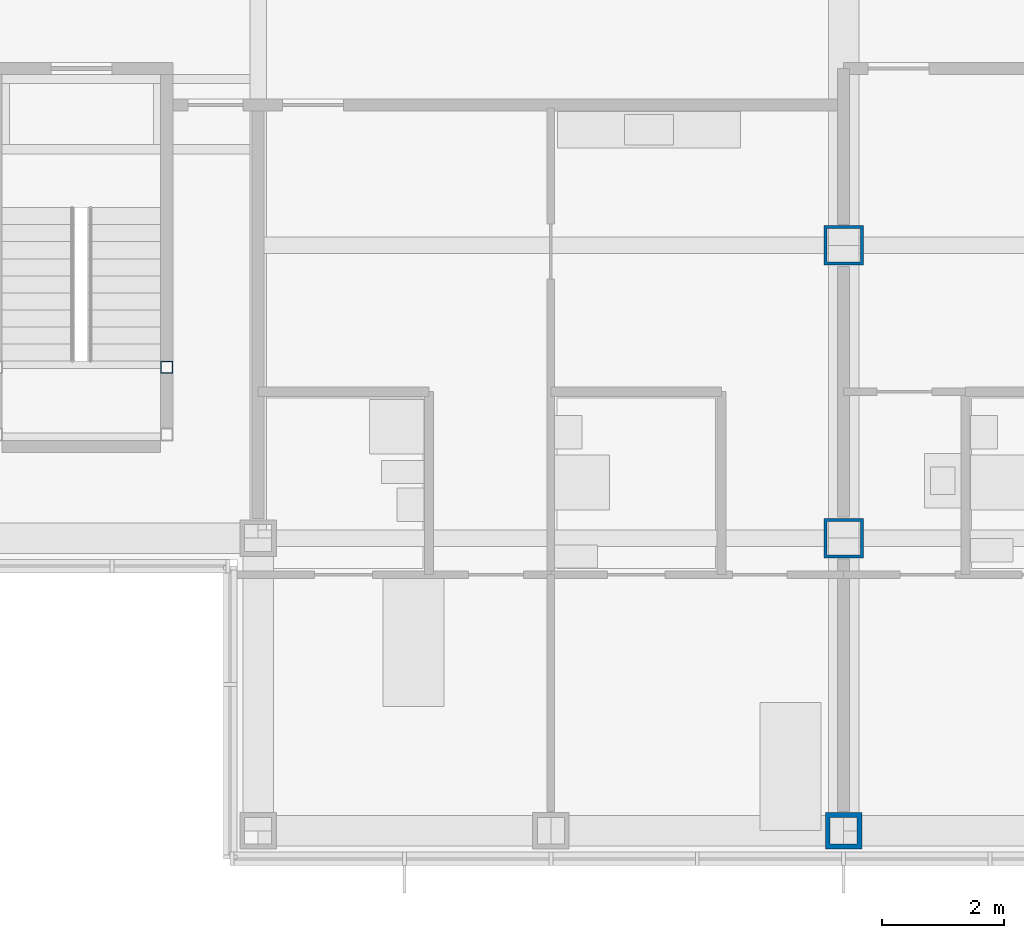
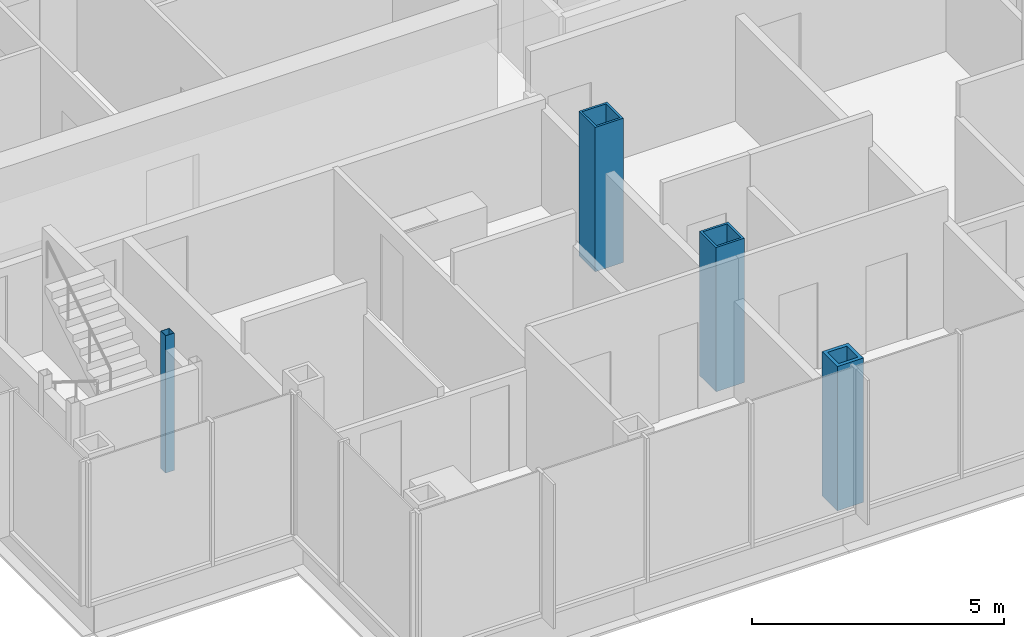
# One storey, part 2 of 20: 4 columns.
"""IFC4 building model written with IfcOpenShell, lengths in metres."""

from ifc_helpers import new_model, si_unit, direction, frame, origin, origin_2d, place, context, subcontext, project, spatial, hollow_rectangle, extrude, material, material_profile, profile_set, type_object, element, save


model = new_model("IFC4")

# Units and contexts
model_context = context("Model", 3, precision=1e-05, world=origin(), true_north=direction((0.0, 1.0)))
body_context = subcontext(model_context, "Body", "Model", "MODEL_VIEW")
ifc_project = project(units=[si_unit("LENGTHUNIT", "METRE"), si_unit("AREAUNIT", "SQUARE_METRE"), si_unit("VOLUMEUNIT", "CUBIC_METRE"), si_unit("PLANEANGLEUNIT", "RADIAN"), si_unit("MASSUNIT", "GRAM", prefix="KILO")], contexts=[model_context])

# Site, building, storey
site_placement = place(None, origin())
site = spatial("IfcSite", under=ifc_project, at=site_placement, CompositionType="ELEMENT")
building_placement = place(site_placement, origin())
building = spatial("IfcBuilding", under=site, at=building_placement, Name="Kvirike Care Tower", CompositionType="ELEMENT")
storey_placement = place(building_placement, frame((0.0, 0.0, 122.5)))
storey = spatial("IfcBuildingStorey", under=building, at=storey_placement, Name="L33", CompositionType="ELEMENT", Elevation=122.5)

# Columns
ifc_material_1 = material(Name="Steel S460", Category="steel")
ifc_material_profile_1 = material_profile(ifc_material_1, hollow_rectangle(XDim=0.60009765625, YDim=0.60009765625, WallThickness=0.080078125, at=origin_2d()), Name="BX 600x600x80")
ifc_profile_set_1 = profile_set([ifc_material_profile_1], Name="Steel S460")
column_type_1 = type_object("IfcColumnType", Name="COLUMN BX 600x600x80", PredefinedType="COLUMN", material=ifc_profile_set_1)
column_1_placement = place(storey_placement, frame((28.800048828125, 14.39990234375, 0.0), z_axis=(0.0, 0.0, 1.0), x_axis=(0.0, 1.0, 0.0)))
element("IfcColumn", 1, at=column_1_placement, inside=storey, type_object=column_type_1, Name="Column D9 L33", PredefinedType="COLUMN", context=body_context, shape_type="SweptSolid", body=[
    extrude(hollow_rectangle(XDim=0.60009765625, YDim=0.60009765625, WallThickness=0.080078125, at=origin_2d()), origin(), (0.0, 0.0, 1.0), 3.5),
])
ifc_material_2 = material(Name="Steel S460", Category="steel")
ifc_material_profile_2 = material_profile(ifc_material_2, hollow_rectangle(XDim=0.64990234375, YDim=0.64990234375, WallThickness=0.050048828125, at=origin_2d()), Name="BX 650x650x50")
ifc_profile_set_2 = profile_set([ifc_material_profile_2], Name="Steel S460")
column_type_2 = type_object("IfcColumnType", Name="COLUMN BX 650x650x50", PredefinedType="COLUMN", material=ifc_profile_set_2)
for number, where, z_axis, x_axis, name in (
    (2, (28.800048828125, 19.199951171875, 0.0), (0.0, 0.0, 1.0), (1.0, 0.0, 0.0), "Column E9 L33"),
    (3, (28.800048828125, 24.0, 0.0), (0.0, 0.0, 1.0), (1.0, 0.0, 0.0), "Column F9 L33"),
):
    element("IfcColumn", number, at=place(storey_placement, frame(where, z_axis=z_axis, x_axis=x_axis)), inside=storey, type_object=column_type_2, Name=name, PredefinedType="COLUMN", context=body_context, shape_type="SweptSolid", body=[
        extrude(hollow_rectangle(XDim=0.64990234375, YDim=0.64990234375, WallThickness=0.050048828125, at=origin_2d()), origin(), (0.0, 0.0, 1.0), 3.5),
    ])
ifc_material_3 = material(Name="Steel S460", Category="steel")
ifc_material_profile_3 = material_profile(ifc_material_3, hollow_rectangle(XDim=0.199951171875, YDim=0.199951171875, WallThickness=0.008056640625, at=origin_2d()), Name="SHS 200x200x8")
ifc_profile_set_3 = profile_set([ifc_material_profile_3], Name="Steel S460")
column_type_3 = type_object("IfcColumnType", Name="STAIR POST SHS 200x200x8", PredefinedType="COLUMN", material=ifc_profile_set_3)
column_2_placement = place(storey_placement, frame((17.699951171875, 22.0, 0.0), z_axis=(0.0, 0.0, 1.0), x_axis=(1.0, 0.0, 0.0)))
element("IfcColumn", 4, at=column_2_placement, inside=storey, type_object=column_type_3, Name="Stair 5 post 4 L33", PredefinedType="COLUMN", context=body_context, shape_type="SweptSolid", body=[
    extrude(hollow_rectangle(XDim=0.199951171875, YDim=0.199951171875, WallThickness=0.008056640625, at=origin_2d()), origin(), (0.0, 0.0, 1.0), 3.330078125),
])

save(model, "model.ifc")
